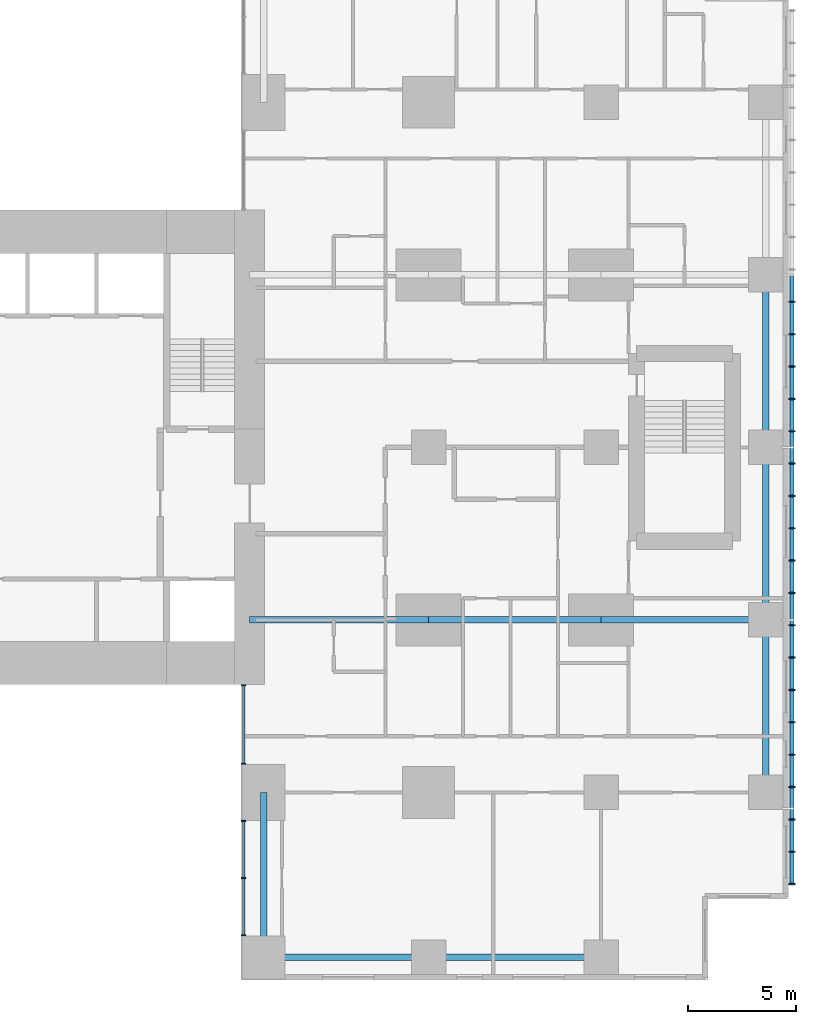
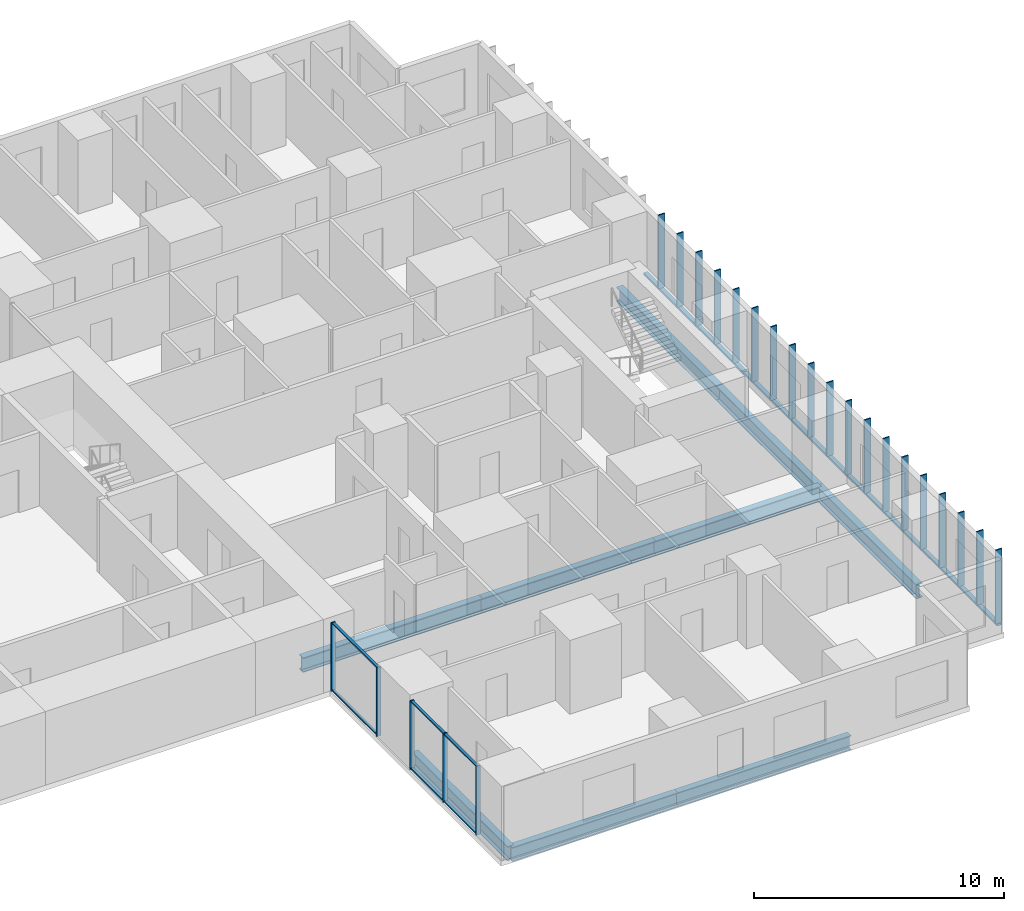
# One storey, part 2 of 12: 33 members, 9 beams, 2 elements without a shape of their own.
"""IFC4 building model written with IfcOpenShell, lengths in metres."""

import ifcopenshell
import ifcopenshell.guid

model = None  # the IFC model being written
_history = None  # IfcOwnerHistory: only IFC2X3 demands one
_inside = {}  # id of a spatial element -> (the spatial element, [elements in it])
_under = {}  # id of a project, library or spatial element -> (it, [spatial elements below it])
_declared = {}  # id of a project -> (the project, [libraries it declares])
_typed = {}  # id of a type object -> (the type object, [elements of that type])
_made_of = {}  # id of a material, layer set ... -> (it, [elements and type objects made of it])


def new_model(schema):
    """Start an empty IFC model of exactly this schema.

    Asked for "IFC4X3", IfcOpenShell would pick the latest addendum, in which some entities
    have other attributes; the version numbers below select the first issue.
    IFC2X3 requires an IfcOwnerHistory on every rooted entity: one is made here for all.
    """
    global model, _history
    if schema == "IFC4X3":
        model = ifcopenshell.file(schema_version=(4, 3, 0, 0))
    else:
        model = ifcopenshell.file(schema=schema)
    _inside.clear()
    _under.clear()
    _declared.clear()
    _typed.clear()
    _made_of.clear()
    _history = None
    if model.schema == "IFC2X3":
        org = make("IfcOrganization", Name="unknown")
        user = make(
            "IfcPersonAndOrganization",
            ThePerson=make("IfcPerson", FamilyName="unknown"),
            TheOrganization=org,
        )
        app = make(
            "IfcApplication",
            ApplicationDeveloper=org,
            Version="unknown",
            ApplicationFullName="unknown",
            ApplicationIdentifier="unknown",
        )
        _history = make(
            "IfcOwnerHistory",
            OwningUser=user,
            OwningApplication=app,
            ChangeAction="ADDED",
            CreationDate=0,
        )
    return model


def make(cls, **values):
    """One entity of the class cls with the attributes given. An attribute that is None is left unset."""
    return model.create_entity(
        cls, **{name: value for name, value in values.items() if value is not None}
    )


def rooted(cls, **values):
    """An entity with a GlobalId (a new one), such as an element, a storey or a relation."""
    return make(cls, GlobalId=ifcopenshell.guid.new(), OwnerHistory=_history, **values)


def si_unit(unit_type, name, prefix=None):
    """IfcSIUnit, for example si_unit("LENGTHUNIT", "METRE", prefix="MILLI")."""
    return make("IfcSIUnit", UnitType=unit_type, Prefix=prefix, Name=name)


def assignment(units):
    """IfcUnitAssignment: the units of a project."""
    return None if units is None else make("IfcUnitAssignment", Units=units)


def point(xyz):
    """IfcCartesianPoint."""
    return None if xyz is None else make("IfcCartesianPoint", Coordinates=xyz)


def direction(xyz):
    """IfcDirection."""
    return None if xyz is None else make("IfcDirection", DirectionRatios=xyz)


def frame(location, z_axis=None, x_axis=None):
    """IfcAxis2Placement3D, a coordinate frame: its origin and axes. An axis left out is left unset."""
    return make(
        "IfcAxis2Placement3D",
        Location=point(location),
        Axis=direction(z_axis),
        RefDirection=direction(x_axis),
    )


def frame_2d(location, x_axis=None):
    """IfcAxis2Placement2D, a coordinate frame in the plane: its origin and x axis."""
    return make(
        "IfcAxis2Placement2D", Location=point(location), RefDirection=direction(x_axis)
    )


def origin():
    """The frame at (0, 0, 0) with its axes left unset."""
    return frame((0.0, 0.0, 0.0))


def origin_2d():
    """The frame at (0, 0) in the plane with its x axis left unset."""
    return frame_2d((0.0, 0.0))


def place(relative_to, where):
    """IfcLocalPlacement: puts the frame where relative to a parent placement (None: the world)."""
    return make(
        "IfcLocalPlacement", PlacementRelTo=relative_to, RelativePlacement=where
    )


def context(
    kind, dimensions, precision=None, world=None, true_north=None, identifier=None
):
    """IfcGeometricRepresentationContext, for example the 3D "Model" context."""
    return make(
        "IfcGeometricRepresentationContext",
        ContextIdentifier=identifier,
        ContextType=kind,
        CoordinateSpaceDimension=dimensions,
        Precision=precision,
        WorldCoordinateSystem=world,
        TrueNorth=true_north,
    )


def subcontext(parent, identifier, kind, view, scale=None):
    """IfcGeometricRepresentationSubContext, for example "Body" below "Model"."""
    return make(
        "IfcGeometricRepresentationSubContext",
        ContextIdentifier=identifier,
        ContextType=kind,
        ParentContext=parent,
        TargetScale=scale,
        TargetView=view,
    )


def project(units=None, contexts=None):
    """IfcProject with its units and contexts."""
    return rooted(
        "IfcProject",
        Name="project",
        RepresentationContexts=contexts,
        UnitsInContext=assignment(units),
    )


def spatial(cls, under=None, at=None, **own):
    """A site, building, storey or space (cls), placed at a placement, below another one or the project."""
    s = rooted(cls, ObjectPlacement=at, **own)
    if under is not None:
        _under.setdefault(under.id(), (under, []))[1].append(s)
    return s


def profile(cls, at=None, kind="AREA", **sizes):
    """A parametric profile (cls). Its sizes go by their IFC names, for example OverallWidth=200.0."""
    return make(cls, ProfileType=kind, Position=at, **sizes)


def rectangle(**sizes):
    """IfcRectangleProfileDef."""
    return profile("IfcRectangleProfileDef", **sizes)


def hollow_rectangle(**sizes):
    """IfcRectangleHollowProfileDef."""
    return profile("IfcRectangleHollowProfileDef", **sizes)


def i_section(**sizes):
    """IfcIShapeProfileDef."""
    return profile("IfcIShapeProfileDef", **sizes)


def extrude(swept, where, along, depth):
    """IfcExtrudedAreaSolid: the profile swept, set in the frame where, extruded along a direction by depth."""
    return make(
        "IfcExtrudedAreaSolid",
        SweptArea=swept,
        Position=where,
        ExtrudedDirection=direction(along),
        Depth=depth,
    )


def shape(context_of_items, identifier, shape_type, items):
    """IfcShapeRepresentation: the items that make up one representation, for example the "Body"."""
    return make(
        "IfcShapeRepresentation",
        ContextOfItems=context_of_items,
        RepresentationIdentifier=identifier,
        RepresentationType=shape_type,
        Items=items,
    )


def material(Name=None, Category=None):
    """IfcMaterial."""
    return make("IfcMaterial", Name=Name, Category=Category)


def layer(
    of_material, thickness, ventilated=None, Name=None, Category=None, Priority=None
):
    """IfcMaterialLayer: one layer of a wall or slab, of a material (None: an air gap)."""
    return make(
        "IfcMaterialLayer",
        Material=of_material,
        LayerThickness=thickness,
        IsVentilated=ventilated,
        Name=Name,
        Category=Category,
        Priority=Priority,
    )


def layer_set(layers, Name=None):
    """IfcMaterialLayerSet."""
    return make("IfcMaterialLayerSet", MaterialLayers=layers, LayerSetName=Name)


def material_profile(
    of_material, cross_section, Name=None, Category=None, Priority=None
):
    """IfcMaterialProfile: a cross section and its material."""
    return make(
        "IfcMaterialProfile",
        Name=Name,
        Material=of_material,
        Profile=cross_section,
        Priority=Priority,
        Category=Category,
    )


def profile_set(profiles, Name=None, composite=None):
    """IfcMaterialProfileSet."""
    return make(
        "IfcMaterialProfileSet",
        Name=Name,
        MaterialProfiles=profiles,
        CompositeProfile=composite,
    )


def made_of(thing, what):
    """Note that an element or type object is made of a material, layer set ...; save() writes the relation."""
    if what is not None:
        _made_of.setdefault(what.id(), (what, []))[1].append(thing)
    return thing


def type_object(cls, material=None, **own):
    """A type object (cls), such as IfcWallType, which elements share."""
    return made_of(rooted(cls, **own), material)


def element(
    cls,
    number,
    at=None,
    inside=None,
    cuts=None,
    type_object=None,
    material=None,
    context=None,
    identifier="Body",
    shape_type=None,
    held_by="IfcProductDefinitionShape",
    body=None,
    shapes=None,
    **own,
):
    """One element of the class cls, such as IfcWall. Its Tag is "e" and its number.

    at: its placement. inside: the storey or other place that contains it. cuts: it is an
    opening in that element (IfcRelVoidsElement). A single representation is given by context,
    identifier, shape_type and body (its items); several are given by shapes. held_by: the class
    of the entity that holds the representations. save() writes the other relations.
    """
    e = rooted(cls, Tag="e%d" % number, ObjectPlacement=at, **own)
    if body is not None:
        shapes = [shape(context, identifier, shape_type, body)]
    if shapes is not None:
        e.Representation = make(held_by, Representations=shapes)
    if inside is not None:
        _inside.setdefault(inside.id(), (inside, []))[1].append(e)
    if cuts is not None:
        rooted(
            "IfcRelVoidsElement", RelatingBuildingElement=cuts, RelatedOpeningElement=e
        )
    if type_object is not None:
        _typed.setdefault(type_object.id(), (type_object, []))[1].append(e)
    return made_of(e, material)


def aggregate(whole, parts):
    """IfcRelAggregates: a whole, such as a stair, and the parts it consists of."""
    return rooted("IfcRelAggregates", RelatingObject=whole, RelatedObjects=parts)


def save(model, path):
    """Write the relations noted so far, then the file.

    IfcRelAggregates (storeys below a building ...), IfcRelContainedInSpatialStructure (elements
    in a storey), IfcRelDefinesByType, IfcRelAssociatesMaterial and IfcRelDeclares: one each for
    every whole, place, type object, material and project.
    """
    for whole, parts in _under.values():
        aggregate(whole, parts)
    for where, things in _inside.values():
        rooted(
            "IfcRelContainedInSpatialStructure",
            RelatedElements=things,
            RelatingStructure=where,
        )
    for kind, things in _typed.values():
        rooted("IfcRelDefinesByType", RelatedObjects=things, RelatingType=kind)
    for what, things in _made_of.values():
        rooted("IfcRelAssociatesMaterial", RelatedObjects=things, RelatingMaterial=what)
    for by, libraries in _declared.values():
        rooted("IfcRelDeclares", RelatingContext=by, RelatedDefinitions=libraries)
    model.write(path)


model = new_model("IFC4")

# Units and contexts
model_context = context("Model", 3, precision=1e-05, world=origin(), true_north=direction((0.0, 1.0)))
body_context = subcontext(model_context, "Body", "Model", "MODEL_VIEW")
ifc_project = project(units=[si_unit("LENGTHUNIT", "METRE"), si_unit("AREAUNIT", "SQUARE_METRE"), si_unit("VOLUMEUNIT", "CUBIC_METRE"), si_unit("PLANEANGLEUNIT", "RADIAN"), si_unit("MASSUNIT", "GRAM", prefix="KILO")], contexts=[model_context])

# Site, building, storey
site_placement = place(None, origin())
site = spatial("IfcSite", under=ifc_project, at=site_placement, CompositionType="ELEMENT")
building_placement = place(site_placement, origin())
building = spatial("IfcBuilding", under=site, at=building_placement, Name="Cleftline Residences", CompositionType="ELEMENT")
storey_placement = place(building_placement, frame((0.0, 0.0, 270.0)))
storey = spatial("IfcBuildingStorey", under=building, at=storey_placement, Name="L71", CompositionType="ELEMENT", Elevation=270.0)

# Members
ifc_material_1 = material(Name="Steel S355, hot-dip galvanised", Category="steel")
ifc_material_profile_1 = material_profile(ifc_material_1, hollow_rectangle(XDim=0.10009765625, YDim=0.199951171875, WallThickness=0.008056640625, InnerFilletRadius=0.008056640625, OuterFilletRadius=0.011962890625, at=origin_2d()))
ifc_profile_set_1 = profile_set([ifc_material_profile_1], Name="Steel S355, hot-dip galvanised")
member_type_1 = type_object("IfcMemberType", Name="BAGUETTE CARRIER RHS 200X100X8", PredefinedType="USERDEFINED", material=ifc_profile_set_1)
member_1_placement = place(storey_placement, frame((66.85009765625, 3.699951171875, -0.050048828125), z_axis=(0.0, 1.0, 0.0), x_axis=(0.0, 0.0, 1.0)))
element("IfcMember", 1, at=member_1_placement, inside=storey, type_object=member_type_1, Name="Baguette carrier", ObjectType="BAGUETTE CARRIER", PredefinedType="USERDEFINED", context=body_context, shape_type="SweptSolid", body=[
    extrude(hollow_rectangle(XDim=0.10009765625, YDim=0.199951171875, WallThickness=0.008056640625, InnerFilletRadius=0.008056640625, OuterFilletRadius=0.011962890625, at=origin_2d()), origin(), (0.0, 0.0, 1.0), 12.300048828125),
])
for number, where, z_axis, x_axis, name in (
    (2, (66.85009765625, 16.0, -0.050048828125), (0.0, 1.0, 0.0), (0.0, 0.0, 1.0), "Baguette carrier"),
    (3, (66.85009765625, 24.0, -0.050048828125), (0.0, 1.0, 0.0), (0.0, 0.0, 1.0), "Baguette carrier"),
):
    element("IfcMember", number, at=place(storey_placement, frame(where, z_axis=z_axis, x_axis=x_axis)), inside=storey, type_object=member_type_1, Name=name, ObjectType="BAGUETTE CARRIER", PredefinedType="USERDEFINED", context=body_context, shape_type="SweptSolid", body=[
        extrude(hollow_rectangle(XDim=0.10009765625, YDim=0.199951171875, WallThickness=0.008056640625, InnerFilletRadius=0.008056640625, OuterFilletRadius=0.011962890625, at=origin_2d()), origin(), (0.0, 0.0, 1.0), 8.0),
    ])

# Beams
ifc_material_2 = material(Name="Steel S355", Category="steel")
ifc_material_profile_2 = material_profile(ifc_material_2, i_section(OverallWidth=0.300048828125, OverallDepth=0.699951171875, WebThickness=0.01708984375, FlangeThickness=0.031982421875, FilletRadius=0.027099609375, at=origin_2d()))
ifc_profile_set_2 = profile_set([ifc_material_profile_2], Name="Steel S355")
beam_type_1 = type_object("IfcBeamType", Name="BEAM HEB 700", PredefinedType="BEAM", material=ifc_profile_set_2)
for number, where, z_axis, x_axis, name in (
    (4, (65.64990234375, 8.0, -0.60009765625), (0.0, 1.0, 0.0), (-1.0, 0.0, 0.0), "Edge beam"),
    (5, (65.64990234375, 16.0, -0.60009765625), (0.0, 1.0, 0.0), (-1.0, 0.0, 0.0), "Edge beam"),
    (6, (65.64990234375, 24.0, -0.60009765625), (0.0, 1.0, 0.0), (-1.0, 0.0, 0.0), "Edge beam"),
    (7, (58.0, 0.35009765625, -0.60009765625), (-1.0, 0.0, 0.0), (0.0, -1.0, 0.0), "Edge beam"),
):
    element("IfcBeam", number, at=place(storey_placement, frame(where, z_axis=z_axis, x_axis=x_axis)), inside=storey, type_object=beam_type_1, Name=name, PredefinedType="BEAM", context=body_context, shape_type="SweptSolid", body=[
        extrude(i_section(OverallWidth=0.300048828125, OverallDepth=0.699951171875, WebThickness=0.01708984375, FlangeThickness=0.031982421875, FilletRadius=0.027099609375, at=origin_2d()), origin(), (0.0, 0.0, 1.0), 8.0),
    ])
for number, where, z_axis, x_axis, name in (
    (8, (50.0, 0.35009765625, -0.60009765625), (-1.0, 0.0, 0.0), (0.0, -1.0, 0.0), "Edge beam"),
    (9, (42.35009765625, 0.35009765625, -0.60009765625), (0.0, 1.0, 0.0), (-1.0, 0.0, 0.0), "Edge beam"),
):
    element("IfcBeam", number, at=place(storey_placement, frame(where, z_axis=z_axis, x_axis=x_axis)), inside=storey, type_object=beam_type_1, Name=name, PredefinedType="BEAM", context=body_context, shape_type="SweptSolid", body=[
        extrude(i_section(OverallWidth=0.300048828125, OverallDepth=0.699951171875, WebThickness=0.01708984375, FlangeThickness=0.031982421875, FilletRadius=0.027099609375, at=origin_2d()), origin(), (0.0, 0.0, 1.0), 7.64990234375),
    ])
ifc_material_3 = material(Name="Steel S355", Category="steel")
ifc_material_profile_3 = material_profile(ifc_material_3, i_section(OverallWidth=0.303955078125, OverallDepth=0.716064453125, WebThickness=0.02099609375, FlangeThickness=0.0400390625, FilletRadius=0.027099609375, at=origin_2d()))
ifc_profile_set_3 = profile_set([ifc_material_profile_3], Name="Steel S355")
beam_type_2 = type_object("IfcBeamType", Name="BEAM HEM 700", PredefinedType="BEAM", material=ifc_profile_set_3)
beam_1_placement = place(storey_placement, frame((65.64990234375, 16.0, -0.60791015625), z_axis=(-1.0, 0.0, 0.0), x_axis=(0.0, -1.0, 0.0)))
element("IfcBeam", 10, at=beam_1_placement, inside=storey, type_object=beam_type_2, Name="Band beam", PredefinedType="BEAM", context=body_context, shape_type="SweptSolid", body=[
    extrude(i_section(OverallWidth=0.303955078125, OverallDepth=0.716064453125, WebThickness=0.02099609375, FlangeThickness=0.0400390625, FilletRadius=0.027099609375, at=origin_2d()), origin(), (0.0, 0.0, 1.0), 7.64990234375),
])
beam_2_placement = place(storey_placement, frame((58.0, 16.0, -0.60791015625), z_axis=(-1.0, 0.0, 0.0), x_axis=(0.0, -1.0, 0.0)))
element("IfcBeam", 11, at=beam_2_placement, inside=storey, type_object=beam_type_2, Name="Band beam", PredefinedType="BEAM", context=body_context, shape_type="SweptSolid", body=[
    extrude(i_section(OverallWidth=0.303955078125, OverallDepth=0.716064453125, WebThickness=0.02099609375, FlangeThickness=0.0400390625, FilletRadius=0.027099609375, at=origin_2d()), origin(), (0.0, 0.0, 1.0), 8.0),
])
beam_3_placement = place(storey_placement, frame((50.0, 16.0, -0.60791015625), z_axis=(-1.0, 0.0, 0.0), x_axis=(0.0, -1.0, 0.0)))
element("IfcBeam", 12, at=beam_3_placement, inside=storey, type_object=beam_type_2, Name="Band beam", PredefinedType="BEAM", context=body_context, shape_type="SweptSolid", body=[
    extrude(i_section(OverallWidth=0.303955078125, OverallDepth=0.716064453125, WebThickness=0.02099609375, FlangeThickness=0.0400390625, FilletRadius=0.027099609375, at=origin_2d()), origin(), (0.0, 0.0, 1.0), 8.300048828125),
])

# Curtain wall, members
ifc_material_4 = material(Name="Aluminium framed curtain wall", Category="aluminium")
ifc_layer = layer(ifc_material_4, 0.199951171875)
ifc_layer_set = layer_set([ifc_layer], Name="CW1 CLEFT GLAZING")
curtain_wall_type = type_object("IfcCurtainWallType", Name="CW1 CLEFT GLAZING", PredefinedType="NOTDEFINED", material=ifc_layer_set)
curtain_wall_1_placement = place(storey_placement, origin())
curtain_wall_1 = element("IfcCurtainWall", 13, at=curtain_wall_1_placement, inside=storey, type_object=curtain_wall_type, Name="Curtain wall CW1", PredefinedType="NOTDEFINED")
ifc_material_5 = material(Name="Aluminium mullion", Category="aluminium")
ifc_material_profile_4 = material_profile(ifc_material_5, rectangle(XDim=0.199951171875, YDim=0.06005859375, at=origin_2d()))
ifc_profile_set_4 = profile_set([ifc_material_profile_4], Name="Aluminium mullion")
member_type_2 = type_object("IfcMemberType", Name="CW1 MULLION", PredefinedType="MULLION", material=ifc_profile_set_4)
member_2_placement = place(storey_placement, frame((41.425048828125, 12.969970703125, 0.0), z_axis=(0.0, 0.0, 1.0), x_axis=(1.0, 0.0, 0.0)))
member_2 = element("IfcMember", 14, at=member_2_placement, type_object=member_type_2, Name="CW1 mullion 1", PredefinedType="MULLION", context=body_context, shape_type="SweptSolid", body=[
    extrude(rectangle(XDim=0.199951171875, YDim=0.06005859375, at=origin_2d()), origin(), (0.0, 0.0, 1.0), 3.35009765625),
])
member_3_placement = place(storey_placement, frame((41.425048828125, 9.330078125, 0.0), z_axis=(0.0, 0.0, 1.0), x_axis=(1.0, 0.0, 0.0)))
member_3 = element("IfcMember", 15, at=member_3_placement, type_object=member_type_2, Name="CW1 mullion 2", PredefinedType="MULLION", context=body_context, shape_type="SweptSolid", body=[
    extrude(rectangle(XDim=0.199951171875, YDim=0.06005859375, at=origin_2d()), origin(), (0.0, 0.0, 1.0), 3.35009765625),
])

curtain_wall_2_placement = place(storey_placement, origin())
curtain_wall_2 = element("IfcCurtainWall", 16, at=curtain_wall_2_placement, inside=storey, type_object=curtain_wall_type, Name="Curtain wall CW1", PredefinedType="NOTDEFINED")
member_4_placement = place(storey_placement, frame((41.425048828125, 6.669921875, 0.0), z_axis=(0.0, 0.0, 1.0), x_axis=(1.0, 0.0, 0.0)))
member_4 = element("IfcMember", 17, at=member_4_placement, type_object=member_type_2, Name="CW1 mullion 1", PredefinedType="MULLION", context=body_context, shape_type="SweptSolid", body=[
    extrude(rectangle(XDim=0.199951171875, YDim=0.06005859375, at=origin_2d()), origin(), (0.0, 0.0, 1.0), 3.35009765625),
])
member_5_placement = place(storey_placement, frame((41.425048828125, 4.02490234375, 0.0), z_axis=(0.0, 0.0, 1.0), x_axis=(1.0, 0.0, 0.0)))
member_5 = element("IfcMember", 18, at=member_5_placement, type_object=member_type_2, Name="CW1 mullion 2", PredefinedType="MULLION", context=body_context, shape_type="SweptSolid", body=[
    extrude(rectangle(XDim=0.199951171875, YDim=0.06005859375, at=origin_2d()), origin(), (0.0, 0.0, 1.0), 3.35009765625),
])
member_6_placement = place(storey_placement, frame((41.425048828125, 1.3798828125, 0.0), z_axis=(0.0, 0.0, 1.0), x_axis=(1.0, 0.0, 0.0)))
member_6 = element("IfcMember", 19, at=member_6_placement, type_object=member_type_2, Name="CW1 mullion 3", PredefinedType="MULLION", context=body_context, shape_type="SweptSolid", body=[
    extrude(rectangle(XDim=0.199951171875, YDim=0.06005859375, at=origin_2d()), origin(), (0.0, 0.0, 1.0), 3.35009765625),
])

# Member
ifc_material_6 = material(Name="Aluminium transom", Category="aluminium")
ifc_material_profile_5 = material_profile(ifc_material_6, rectangle(XDim=0.1201171875, YDim=0.06005859375, at=origin_2d()))
ifc_profile_set_5 = profile_set([ifc_material_profile_5], Name="Aluminium transom")
member_type_3 = type_object("IfcMemberType", Name="CW1 TRANSOM", PredefinedType="USERDEFINED", material=ifc_profile_set_5)
member_7_placement = place(storey_placement, frame((41.425048828125, 12.93994140625, 0.030029296875), z_axis=(0.0, -1.0, 0.0), x_axis=(1.0, 0.0, 0.0)))
member_7 = element("IfcMember", 20, at=member_7_placement, type_object=member_type_3, Name="CW1 transom 1.1", ObjectType="TRANSOM", PredefinedType="USERDEFINED", context=body_context, shape_type="SweptSolid", body=[
    extrude(rectangle(XDim=0.1201171875, YDim=0.06005859375, at=origin_2d()), origin(), (0.0, 0.0, 1.0), 3.579833984375),
])

member_8_placement = place(storey_placement, frame((41.425048828125, 12.93994140625, 3.320068359375), z_axis=(0.0, -1.0, 0.0), x_axis=(1.0, 0.0, 0.0)))
member_8 = element("IfcMember", 21, at=member_8_placement, type_object=member_type_3, Name="CW1 transom 1.2", ObjectType="TRANSOM", PredefinedType="USERDEFINED", context=body_context, shape_type="SweptSolid", body=[
    extrude(rectangle(XDim=0.1201171875, YDim=0.06005859375, at=origin_2d()), origin(), (0.0, 0.0, 1.0), 3.579833984375),
])

aggregate(curtain_wall_1, [member_2, member_3, member_7, member_8])

member_9_placement = place(storey_placement, frame((41.425048828125, 6.639892578125, 0.030029296875), z_axis=(0.0, -1.0, 0.0), x_axis=(1.0, 0.0, 0.0)))
member_9 = element("IfcMember", 22, at=member_9_placement, type_object=member_type_3, Name="CW1 transom 1.1", ObjectType="TRANSOM", PredefinedType="USERDEFINED", context=body_context, shape_type="SweptSolid", body=[
    extrude(rectangle(XDim=0.1201171875, YDim=0.06005859375, at=origin_2d()), origin(), (0.0, 0.0, 1.0), 2.5849609375),
])

member_10_placement = place(storey_placement, frame((41.425048828125, 6.639892578125, 3.320068359375), z_axis=(0.0, -1.0, 0.0), x_axis=(1.0, 0.0, 0.0)))
member_10 = element("IfcMember", 23, at=member_10_placement, type_object=member_type_3, Name="CW1 transom 1.2", ObjectType="TRANSOM", PredefinedType="USERDEFINED", context=body_context, shape_type="SweptSolid", body=[
    extrude(rectangle(XDim=0.1201171875, YDim=0.06005859375, at=origin_2d()), origin(), (0.0, 0.0, 1.0), 2.5849609375),
])

member_11_placement = place(storey_placement, frame((41.425048828125, 3.9951171875, 0.030029296875), z_axis=(0.0, -1.0, 0.0), x_axis=(1.0, 0.0, 0.0)))
member_11 = element("IfcMember", 24, at=member_11_placement, type_object=member_type_3, Name="CW1 transom 2.1", ObjectType="TRANSOM", PredefinedType="USERDEFINED", context=body_context, shape_type="SweptSolid", body=[
    extrude(rectangle(XDim=0.1201171875, YDim=0.06005859375, at=origin_2d()), origin(), (0.0, 0.0, 1.0), 2.585205078125),
])

member_12_placement = place(storey_placement, frame((41.425048828125, 3.9951171875, 3.320068359375), z_axis=(0.0, -1.0, 0.0), x_axis=(1.0, 0.0, 0.0)))
member_12 = element("IfcMember", 25, at=member_12_placement, type_object=member_type_3, Name="CW1 transom 2.2", ObjectType="TRANSOM", PredefinedType="USERDEFINED", context=body_context, shape_type="SweptSolid", body=[
    extrude(rectangle(XDim=0.1201171875, YDim=0.06005859375, at=origin_2d()), origin(), (0.0, 0.0, 1.0), 2.585205078125),
])

aggregate(curtain_wall_2, [member_4, member_5, member_6, member_9, member_10, member_11, member_12])

# Members
ifc_material_7 = material(Name="Extruded terracotta", Category="masonry")
ifc_material_profile_6 = material_profile(ifc_material_7, rectangle(XDim=0.06005859375, YDim=0.300048828125, at=origin_2d()))
ifc_profile_set_6 = profile_set([ifc_material_profile_6], Name="Extruded terracotta")
member_type_4 = type_object("IfcMemberType", Name="TERRACOTTA BAGUETTE 60X300", PredefinedType="USERDEFINED", material=ifc_profile_set_6)
for number, where, z_axis, x_axis, name in (
    (26, (66.85009765625, 3.75, 0.0), (0.0, 0.0, 1.0), (0.0, 1.0, 0.0), "Terracotta baguette"),
    (27, (66.85009765625, 5.25, 0.0), (0.0, 0.0, 1.0), (0.0, 1.0, 0.0), "Terracotta baguette"),
    (28, (66.85009765625, 6.75, 0.0), (0.0, 0.0, 1.0), (0.0, 1.0, 0.0), "Terracotta baguette"),
    (29, (66.85009765625, 8.25, 0.0), (0.0, 0.0, 1.0), (0.0, 1.0, 0.0), "Terracotta baguette"),
    (30, (66.85009765625, 9.75, 0.0), (0.0, 0.0, 1.0), (0.0, 1.0, 0.0), "Terracotta baguette"),
    (31, (66.85009765625, 11.25, 0.0), (0.0, 0.0, 1.0), (0.0, 1.0, 0.0), "Terracotta baguette"),
    (32, (66.85009765625, 12.75, 0.0), (0.0, 0.0, 1.0), (0.0, 1.0, 0.0), "Terracotta baguette"),
    (33, (66.85009765625, 14.25, 0.0), (0.0, 0.0, 1.0), (0.0, 1.0, 0.0), "Terracotta baguette"),
    (34, (66.85009765625, 15.75, 0.0), (0.0, 0.0, 1.0), (0.0, 1.0, 0.0), "Terracotta baguette"),
    (35, (66.85009765625, 17.25, 0.0), (0.0, 0.0, 1.0), (0.0, 1.0, 0.0), "Terracotta baguette"),
    (36, (66.85009765625, 18.75, 0.0), (0.0, 0.0, 1.0), (0.0, 1.0, 0.0), "Terracotta baguette"),
    (37, (66.85009765625, 20.25, 0.0), (0.0, 0.0, 1.0), (0.0, 1.0, 0.0), "Terracotta baguette"),
    (38, (66.85009765625, 21.75, 0.0), (0.0, 0.0, 1.0), (0.0, 1.0, 0.0), "Terracotta baguette"),
    (39, (66.85009765625, 23.25, 0.0), (0.0, 0.0, 1.0), (0.0, 1.0, 0.0), "Terracotta baguette"),
    (40, (66.85009765625, 24.75, 0.0), (0.0, 0.0, 1.0), (0.0, 1.0, 0.0), "Terracotta baguette"),
    (41, (66.85009765625, 26.25, 0.0), (0.0, 0.0, 1.0), (0.0, 1.0, 0.0), "Terracotta baguette"),
    (42, (66.85009765625, 27.75, 0.0), (0.0, 0.0, 1.0), (0.0, 1.0, 0.0), "Terracotta baguette"),
    (43, (66.85009765625, 29.25, 0.0), (0.0, 0.0, 1.0), (0.0, 1.0, 0.0), "Terracotta baguette"),
    (44, (66.85009765625, 30.75, 0.0), (0.0, 0.0, 1.0), (0.0, 1.0, 0.0), "Terracotta baguette"),
):
    element("IfcMember", number, at=place(storey_placement, frame(where, z_axis=z_axis, x_axis=x_axis)), inside=storey, type_object=member_type_4, Name=name, ObjectType="BAGUETTE", PredefinedType="USERDEFINED", context=body_context, shape_type="SweptSolid", body=[
        extrude(rectangle(XDim=0.06005859375, YDim=0.300048828125, at=origin_2d()), origin(), (0.0, 0.0, 1.0), 3.60009765625),
    ])

save(model, "model.ifc")
